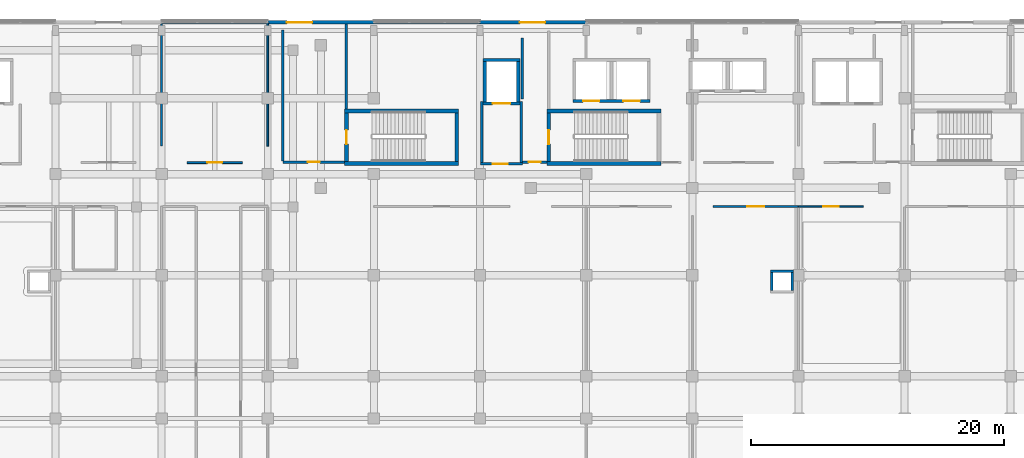
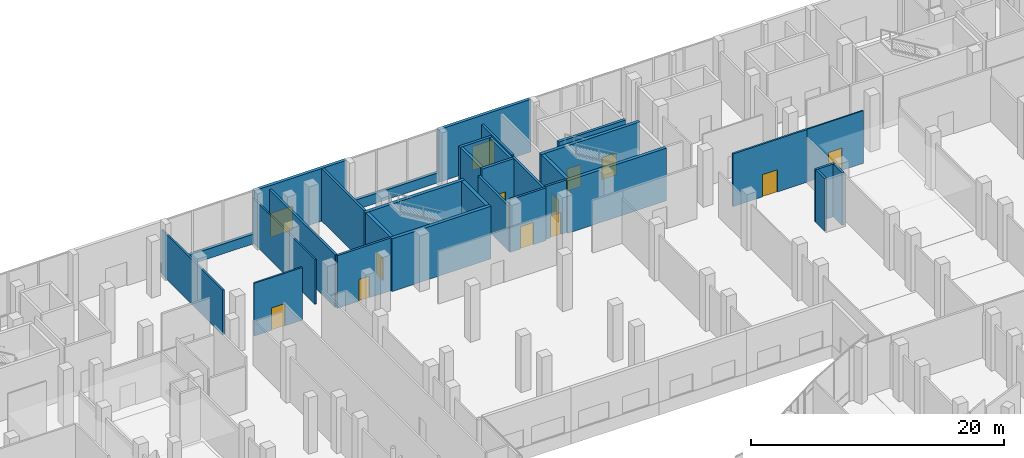
# One storey, part 141 of 158: 32 walls, 13 doors, 13 openings.
"""IFC4 building model written with IfcOpenShell, lengths in metres."""

from ifc_helpers import new_model, si_unit, direction, frame, frame_2d, origin, place, context, subcontext, project, spatial, rectangle, extrude, material, layer, layer_set, type_object, element, fill, save


model = new_model("IFC4")

# Units and contexts
model_context = context("Model", 3, precision=1e-05, world=origin(), true_north=direction((0.0, 1.0)))
body_context = subcontext(model_context, "Body", "Model", "MODEL_VIEW")
ifc_project = project(units=[si_unit("LENGTHUNIT", "METRE"), si_unit("AREAUNIT", "SQUARE_METRE"), si_unit("VOLUMEUNIT", "CUBIC_METRE"), si_unit("PLANEANGLEUNIT", "RADIAN"), si_unit("MASSUNIT", "GRAM", prefix="KILO")], contexts=[model_context])

# Site, building, storey
site_placement = place(None, origin())
site = spatial("IfcSite", under=ifc_project, at=site_placement, CompositionType="ELEMENT")
building_placement = place(site_placement, origin())
building = spatial("IfcBuilding", under=site, at=building_placement, Name="Selatvlak General Hospital", CompositionType="ELEMENT")
storey_placement = place(building_placement, origin())
storey = spatial("IfcBuildingStorey", under=building, at=storey_placement, Name="L00", CompositionType="ELEMENT", Elevation=0.0)

# Wall
ifc_material_1 = material(Name="Precast concrete C40/50 - white Bauhaus spandrel", Category="concrete")
ifc_layer_1 = layer(ifc_material_1, 0.280029296875, Name="Precast concrete C40/50 - white Bauhaus spandrel", Category="concrete")
ifc_layer_set_1 = layer_set([ifc_layer_1], Name="Precast concrete C40/50 - white Bauhaus spandrel")
wall_type_1 = type_object("IfcWallType", Name="WALL-EW-02", PredefinedType="SOLIDWALL", material=ifc_layer_set_1)
wall_1_placement = place(storey_placement, frame((73.201904296875, 119.9990234375, 0.0), z_axis=(0.0, 0.0, 1.0), x_axis=(1.0, 0.0, 0.0)))
element("IfcWall", 1, at=wall_1_placement, inside=storey, type_object=wall_type_1, Name="L00 Bauhaus spandrel sill wall 0156", PredefinedType="SOLIDWALL", context=body_context, shape_type="SweptSolid", body=[
    extrude(rectangle(XDim=8.39599609375, YDim=0.280029296875, at=frame_2d((4.197998046875, 0.0))), origin(), (0.0, 0.0, 1.0), 0.93994140625),
])

# Wall, opening, door
wall_2_placement = place(storey_placement, frame((81.60009765625, 119.9990234375, 0.0), z_axis=(0.0, 0.0, 1.0), x_axis=(0.99999999324, 0.000116272309, 0.0)))
wall_2 = element("IfcWall", 2, at=wall_2_placement, inside=storey, type_object=wall_type_1, Name="L00 exterior wall 0157", PredefinedType="SOLIDWALL", context=body_context, shape_type="SweptSolid", body=[
    extrude(rectangle(XDim=8.39892578125, YDim=0.280029296875, at=frame_2d((4.199462890625, 0.0))), origin(), (0.0, 0.0, 1.0), 5.080078125),
])
opening_1_placement = place(wall_2_placement, frame((1.52001953125, 0.0, 0.0)))
opening_1 = element("IfcOpeningElement", 3, at=opening_1_placement, cuts=wall_2, Name="Opening DE-03", PredefinedType="OPENING", context=body_context, shape_type="SweptSolid", body=[
    extrude(rectangle(XDim=2.0, YDim=2.300048828125, at=frame_2d((1.0, 1.14990234375))), frame((0.0, 0.14990234375, 0.0), z_axis=(0.0, -1.0, 0.0), x_axis=(1.0, 0.0, 0.0)), (0.0, 0.0, 1.0), 0.300048828125),
])
ifc_material_2 = material(Name="Steel acoustic fire exit double door", Category="steel")
door_type_1 = type_object("IfcDoorType", Name="DOOR-DE-03", OperationType="DOUBLE_DOOR_SINGLE_SWING", PredefinedType="DOOR", material=ifc_material_2)
door_1_placement = place(opening_1_placement, origin())
door_1 = element("IfcDoor", 4, at=door_1_placement, inside=storey, type_object=door_type_1, Name="Stair ST-02 ground final exit double door", OperationType="DOUBLE_DOOR_SINGLE_SWING", OverallHeight=2.300048828125, OverallWidth=2.0, PredefinedType="DOOR", context=body_context, shape_type="SweptSolid", body=[
    extrude(rectangle(XDim=2.0, YDim=2.300048828125, at=frame_2d((1.0, 1.14990234375))), frame((0.0, 0.02490234375, 0.0), z_axis=(0.0, -1.0, 0.0), x_axis=(1.0, 0.0, 0.0)), (0.0, 0.0, 1.0), 0.050048828125),
])
fill(opening_1, door_1)

# Wall
wall_3_placement = place(storey_placement, frame((90.0009765625, 120.0, 0.0), z_axis=(0.0, 0.0, 1.0), x_axis=(1.0, 0.0, 0.0)))
element("IfcWall", 5, at=wall_3_placement, inside=storey, type_object=wall_type_1, Name="L00 Bauhaus spandrel sill wall 0158", PredefinedType="SOLIDWALL", context=body_context, shape_type="SweptSolid", body=[
    extrude(rectangle(XDim=8.39599609375, YDim=0.280029296875, at=frame_2d((4.197998046875, 0.0))), origin(), (0.0, 0.0, 1.0), 0.93994140625),
])

# Wall, opening, door
wall_4_placement = place(storey_placement, frame((98.39892578125, 120.0, 0.0), z_axis=(0.0, 0.0, 1.0), x_axis=(1.0, 0.0, 0.0)))
wall_4 = element("IfcWall", 6, at=wall_4_placement, inside=storey, type_object=wall_type_1, Name="L00 exterior wall 0159", PredefinedType="SOLIDWALL", context=body_context, shape_type="SweptSolid", body=[
    extrude(rectangle(XDim=8.400146484375, YDim=0.280029296875, at=frame_2d((4.2001953125, 0.0))), origin(), (0.0, 0.0, 1.0), 5.080078125),
])
opening_2_placement = place(wall_4_placement, frame((3.15087890625, 0.0, 0.0)))
opening_2 = element("IfcOpeningElement", 7, at=opening_2_placement, cuts=wall_4, Name="Opening DE-03", PredefinedType="OPENING", context=body_context, shape_type="SweptSolid", body=[
    extrude(rectangle(XDim=2.0, YDim=2.300048828125, at=frame_2d((1.0, 1.14990234375))), frame((0.0, 0.14990234375, 0.0), z_axis=(0.0, -1.0, 0.0), x_axis=(1.0, 0.0, 0.0)), (0.0, 0.0, 1.0), 0.300048828125),
])
door_2_placement = place(opening_2_placement, origin())
door_2 = element("IfcDoor", 8, at=door_2_placement, inside=storey, type_object=door_type_1, Name="Stair ST-03 ground final exit double door", OperationType="DOUBLE_DOOR_SINGLE_SWING", OverallHeight=2.300048828125, OverallWidth=2.0, PredefinedType="DOOR", context=body_context, shape_type="SweptSolid", body=[
    extrude(rectangle(XDim=2.0, YDim=2.300048828125, at=frame_2d((1.0, 1.14990234375))), frame((0.0, 0.02490234375, 0.0), z_axis=(0.0, -1.0, 0.0), x_axis=(1.0, 0.0, 0.0)), (0.0, 0.0, 1.0), 0.050048828125),
])
fill(opening_2, door_2)

ifc_material_3 = material(Name="Concrete C40/50", Category="concrete")
ifc_layer_2 = layer(ifc_material_3, 0.199951171875, Name="Concrete C40/50", Category="concrete")
ifc_layer_set_2 = layer_set([ifc_layer_2], Name="Concrete C40/50")
wall_type_2 = type_object("IfcWallType", Name="WALL-IW-02", PredefinedType="SOLIDWALL", material=ifc_layer_set_2)
wall_5_placement = place(storey_placement, frame((98.449951171875, 108.800048828125, 0.0), z_axis=(0.0, 0.0, 1.0), x_axis=(1.0, 0.0, 0.0)))
wall_5 = element("IfcWall", 9, at=wall_5_placement, inside=storey, type_object=wall_type_2, Name="Firefighting lobby C2 wall L00 S", PredefinedType="SOLIDWALL", context=body_context, shape_type="SweptSolid", body=[
    extrude(rectangle(XDim=3.300048828125, YDim=0.199951171875, at=frame_2d((1.64990234375, 0.0))), origin(), (0.0, 0.0, 1.0), 5.080078125),
])
opening_3_placement = place(wall_5_placement, frame((0.97509765625, 0.0, 0.0)))
opening_3 = element("IfcOpeningElement", 10, at=opening_3_placement, cuts=wall_5, Name="Opening D-06", PredefinedType="OPENING", context=body_context, shape_type="SweptSolid", body=[
    extrude(rectangle(XDim=1.14990234375, YDim=2.14990234375, at=frame_2d((0.574951171875, 1.074951171875))), frame((0.0, 0.10986328125, 0.0), z_axis=(0.0, -1.0, 0.0), x_axis=(1.0, 0.0, 0.0)), (0.0, 0.0, 1.0), 0.219970703125),
])
ifc_material_4 = material(Name="Firefighting lobby fire door")
door_type_2 = type_object("IfcDoorType", Name="DOOR-D-06", OperationType="NOTDEFINED", PredefinedType="DOOR", material=ifc_material_4)
door_3_placement = place(opening_3_placement, origin())
door_3 = element("IfcDoor", 11, at=door_3_placement, inside=storey, type_object=door_type_2, Name="Firefighting lobby C2 door on L00", OperationType="SINGLE_SWING_RIGHT", OverallHeight=2.14990234375, OverallWidth=1.14990234375, PredefinedType="DOOR", context=body_context, shape_type="SweptSolid", body=[
    extrude(rectangle(XDim=1.14990234375, YDim=2.14990234375, at=frame_2d((0.574951171875, 1.074951171875))), frame((0.0, 0.02490234375, 0.0), z_axis=(0.0, -1.0, 0.0), x_axis=(1.0, 0.0, 0.0)), (0.0, 0.0, 1.0), 0.050048828125),
])
fill(opening_3, door_3)

# Walls
wall_6_placement = place(storey_placement, frame((101.64990234375, 108.89990234375, 0.0), z_axis=(0.0, 0.0, 1.0), x_axis=(0.0, 1.0, 0.0)))
element("IfcWall", 12, at=wall_6_placement, inside=storey, type_object=wall_type_2, Name="Firefighting lobby C2 wall L00 E", PredefinedType="SOLIDWALL", context=body_context, shape_type="SweptSolid", body=[
    extrude(rectangle(XDim=4.85009765625, YDim=0.199951171875, at=frame_2d((2.425048828125, 0.0))), origin(), (0.0, 0.0, 1.0), 5.080078125),
])
wall_7_placement = place(storey_placement, frame((98.550048828125, 113.75, 0.0), z_axis=(0.0, 0.0, 1.0), x_axis=(0.0, -1.0, 0.0)))
element("IfcWall", 13, at=wall_7_placement, inside=storey, type_object=wall_type_2, Name="Firefighting lobby C2 wall L00 W", PredefinedType="SOLIDWALL", context=body_context, shape_type="SweptSolid", body=[
    extrude(rectangle(XDim=4.85009765625, YDim=0.199951171875, at=frame_2d((2.425048828125, 0.0))), origin(), (0.0, 0.0, 1.0), 4.330078125),
])
wall_8_placement = place(storey_placement, frame((123.10009765625, 98.800048828125, 0.0), z_axis=(0.0, 0.0, 1.0), x_axis=(0.0, 1.0, 0.0)))
element("IfcWall", 14, at=wall_8_placement, inside=storey, type_object=wall_type_2, Name="Service riser 2 shaft wall L00 E", PredefinedType="SOLIDWALL", context=body_context, shape_type="SweptSolid", body=[
    extrude(rectangle(XDim=1.39990234375, YDim=0.199951171875, at=frame_2d((0.699951171875, 0.0))), origin(), (0.0, 0.0, 1.0), 5.080078125),
])
wall_9_placement = place(storey_placement, frame((123.199951171875, 100.300048828125, 0.0), z_axis=(0.0, 0.0, 1.0), x_axis=(-1.0, 0.0, 0.0)))
element("IfcWall", 15, at=wall_9_placement, inside=storey, type_object=wall_type_2, Name="Service riser 2 shaft wall L00 N", PredefinedType="SOLIDWALL", context=body_context, shape_type="SweptSolid", body=[
    extrude(rectangle(XDim=1.800048828125, YDim=0.199951171875, at=frame_2d((0.89990234375, 0.0))), origin(), (0.0, 0.0, 1.0), 5.080078125),
])
wall_10_placement = place(storey_placement, frame((121.5, 100.199951171875, 0.0), z_axis=(0.0, 0.0, 1.0), x_axis=(0.0, -1.0, 0.0)))
element("IfcWall", 16, at=wall_10_placement, inside=storey, type_object=wall_type_2, Name="Service riser 2 shaft wall L00 W", PredefinedType="SOLIDWALL", context=body_context, shape_type="SweptSolid", body=[
    extrude(rectangle(XDim=1.39990234375, YDim=0.199951171875, at=frame_2d((0.699951171875, 0.0))), origin(), (0.0, 0.0, 1.0), 5.080078125),
])
wall_11_placement = place(storey_placement, frame((87.830078125, 119.860107421875, 0.0), z_axis=(0.0, 0.0, 1.0), x_axis=(0.0, -1.0, 0.0)))
element("IfcWall", 17, at=wall_11_placement, inside=storey, type_object=wall_type_2, Name="L00 clinical partition PT-L00-0366", PredefinedType="SOLIDWALL", context=body_context, shape_type="SweptSolid", body=[
    extrude(rectangle(XDim=6.713134765625, YDim=0.199951171875, at=frame_2d((3.3564453125, 0.0))), origin(), (0.0, 0.0, 1.0), 5.080078125),
])

# Wall, opening, door
wall_12_placement = place(storey_placement, frame((87.68994140625, 108.949951171875, 0.0), z_axis=(0.0, 0.0, 1.0), x_axis=(-1.0, 0.0, 0.0)))
wall_12 = element("IfcWall", 18, at=wall_12_placement, inside=storey, type_object=wall_type_2, Name="L00 clinical partition PT-L00-0367", PredefinedType="SOLIDWALL", context=body_context, shape_type="SweptSolid", body=[
    extrude(rectangle(XDim=4.889892578125, YDim=0.199951171875, at=frame_2d((2.44482421875, 0.0))), origin(), (0.0, 0.0, 1.0), 5.080078125),
])
opening_4_placement = place(wall_12_placement, frame((1.969970703125, 0.0, 0.0)))
opening_4 = element("IfcOpeningElement", 19, at=opening_4_placement, cuts=wall_12, Name="Opening D-02", PredefinedType="OPENING", context=body_context, shape_type="SweptSolid", body=[
    extrude(rectangle(XDim=0.949951171875, YDim=2.10009765625, at=frame_2d((0.47509765625, 1.050048828125))), frame((0.0, 0.10986328125, 0.0), z_axis=(0.0, -1.0, 0.0), x_axis=(1.0, 0.0, 0.0)), (0.0, 0.0, 1.0), 0.219970703125),
])
ifc_material_5 = material(Name="Moisture-resistant en-suite door")
door_type_3 = type_object("IfcDoorType", Name="DOOR-D-02", OperationType="NOTDEFINED", PredefinedType="DOOR", material=ifc_material_5)
door_4_placement = place(opening_4_placement, origin())
door_4 = element("IfcDoor", 20, at=door_4_placement, inside=storey, type_object=door_type_3, Name="L00 Protected Exit Passageway ST-02 door", OperationType="SINGLE_SWING_RIGHT", OverallHeight=2.10009765625, OverallWidth=0.949951171875, PredefinedType="DOOR", context=body_context, shape_type="SweptSolid", body=[
    extrude(rectangle(XDim=0.949951171875, YDim=2.10009765625, at=frame_2d((0.47509765625, 1.050048828125))), frame((0.0, 0.02490234375, 0.0), z_axis=(0.0, -1.0, 0.0), x_axis=(1.0, 0.0, 0.0)), (0.0, 0.0, 1.0), 0.050048828125),
])
fill(opening_4, door_4)

# Wall
wall_13_placement = place(storey_placement, frame((82.800048828125, 109.0458984375, 0.0), z_axis=(0.0, 0.0, 1.0), x_axis=(0.0, 1.0, 0.0)))
element("IfcWall", 21, at=wall_13_placement, inside=storey, type_object=wall_type_2, Name="L00 clinical partition PT-L00-0368", PredefinedType="SOLIDWALL", context=body_context, shape_type="SweptSolid", body=[
    extrude(rectangle(XDim=10.357177734375, YDim=0.199951171875, at=frame_2d((5.1787109375, 0.0))), origin(), (0.0, 0.0, 1.0), 5.080078125),
])

# Wall, opening, door
wall_14_placement = place(storey_placement, frame((103.68994140625, 108.949951171875, 0.0), z_axis=(0.0, 0.0, 1.0), x_axis=(-1.0, 0.0, 0.0)))
wall_14 = element("IfcWall", 22, at=wall_14_placement, inside=storey, type_object=wall_type_2, Name="L00 clinical partition PT-L00-0370", PredefinedType="SOLIDWALL", context=body_context, shape_type="SweptSolid", body=[
    extrude(rectangle(XDim=1.93994140625, YDim=0.199951171875, at=frame_2d((0.969970703125, 0.0))), origin(), (0.0, 0.0, 1.0), 5.080078125),
])
opening_5_placement = place(wall_14_placement, frame((0.4951171875, 0.0, 0.0)))
opening_5 = element("IfcOpeningElement", 23, at=opening_5_placement, cuts=wall_14, Name="Opening D-02", PredefinedType="OPENING", context=body_context, shape_type="SweptSolid", body=[
    extrude(rectangle(XDim=0.949951171875, YDim=2.10009765625, at=frame_2d((0.47509765625, 1.050048828125))), frame((0.0, 0.10986328125, 0.0), z_axis=(0.0, -1.0, 0.0), x_axis=(1.0, 0.0, 0.0)), (0.0, 0.0, 1.0), 0.219970703125),
])
door_5_placement = place(opening_5_placement, origin())
door_5 = element("IfcDoor", 24, at=door_5_placement, inside=storey, type_object=door_type_3, Name="L00 Protected Exit Passageway ST-03 door", OperationType="SINGLE_SWING_LEFT", OverallHeight=2.10009765625, OverallWidth=0.949951171875, PredefinedType="DOOR", context=body_context, shape_type="SweptSolid", body=[
    extrude(rectangle(XDim=0.949951171875, YDim=2.10009765625, at=frame_2d((0.47509765625, 1.050048828125))), frame((0.0, 0.02490234375, 0.0), z_axis=(0.0, -1.0, 0.0), x_axis=(1.0, 0.0, 0.0)), (0.0, 0.0, 1.0), 0.050048828125),
])
fill(opening_5, door_5)

# Wall
wall_15_placement = place(storey_placement, frame((101.760009765625, 113.94189453125, 0.0), z_axis=(0.0, 0.0, 1.0), x_axis=(0.0, 1.0, 0.0)))
element("IfcWall", 25, at=wall_15_placement, inside=storey, type_object=wall_type_2, Name="L00 clinical partition PT-L00-0371", PredefinedType="SOLIDWALL", context=body_context, shape_type="SweptSolid", body=[
    extrude(rectangle(XDim=4.843017578125, YDim=0.199951171875, at=frame_2d((2.42138671875, 0.0))), origin(), (0.0, 0.0, 1.0), 5.080078125),
])

# Wall, opening, door
ifc_material_6 = material(Name="Acoustic gypsum stud partition")
ifc_layer_3 = layer(ifc_material_6, 0.1650390625, Name="Acoustic gypsum stud partition")
ifc_layer_set_3 = layer_set([ifc_layer_3], Name="Acoustic gypsum stud partition")
wall_type_3 = type_object("IfcWallType", Name="WALL-PT-02", PredefinedType="PARTITIONING", material=ifc_layer_set_3)
wall_16_placement = place(storey_placement, frame((116.85595703125, 105.43994140625, 0.0), z_axis=(0.0, 0.0, 1.0), x_axis=(1.0, 0.0, 0.0)))
wall_16 = element("IfcWall", 26, at=wall_16_placement, inside=storey, type_object=wall_type_3, Name="L00 clinical partition PT-L00-0651", PredefinedType="PARTITIONING", context=body_context, shape_type="SweptSolid", body=[
    extrude(rectangle(XDim=6.744140625, YDim=0.1650390625, at=frame_2d((3.3720703125, 0.0))), origin(), (0.0, 0.0, 1.0), 5.080078125),
])
opening_6_placement = place(wall_16_placement, frame((2.697021484375, 0.0, 0.0)))
opening_6 = element("IfcOpeningElement", 27, at=opening_6_placement, cuts=wall_16, Name="Opening D-10", PredefinedType="OPENING", context=body_context, shape_type="SweptSolid", body=[
    extrude(rectangle(XDim=1.35009765625, YDim=2.14990234375, at=frame_2d((0.675048828125, 1.074951171875))), frame((0.0, 0.092529296875, 0.0), z_axis=(0.0, -1.0, 0.0), x_axis=(1.0, 0.0, 0.0)), (0.0, 0.0, 1.0), 0.18505859375),
])
ifc_material_7 = material(Name="Single patient bed door")
door_type_4 = type_object("IfcDoorType", Name="DOOR-D-10", OperationType="NOTDEFINED", PredefinedType="DOOR", material=ifc_material_7)
door_6_placement = place(opening_6_placement, origin())
door_6 = element("IfcDoor", 28, at=door_6_placement, inside=storey, type_object=door_type_4, Name="L00 General Radiography X-Ray Suite 54 door", OperationType="SINGLE_SWING_LEFT", OverallHeight=2.14990234375, OverallWidth=1.35009765625, PredefinedType="DOOR", context=body_context, shape_type="SweptSolid", body=[
    extrude(rectangle(XDim=1.35009765625, YDim=2.14990234375, at=frame_2d((0.675048828125, 1.074951171875))), frame((0.0, 0.02490234375, 0.0), z_axis=(0.0, -1.0, 0.0), x_axis=(1.0, 0.0, 0.0)), (0.0, 0.0, 1.0), 0.050048828125),
])
fill(opening_6, door_6)

# Wall
wall_17_placement = place(storey_placement, frame((73.199951171875, 119.860107421875, 0.0), z_axis=(0.0, 0.0, 1.0), x_axis=(0.0, -1.0, 0.0)))
element("IfcWall", 29, at=wall_17_placement, inside=storey, type_object=wall_type_3, Name="L00 clinical partition PT-L00-0676", PredefinedType="PARTITIONING", context=body_context, shape_type="SweptSolid", body=[
    extrude(rectangle(XDim=9.650146484375, YDim=0.1650390625, at=frame_2d((4.8251953125, 0.0))), origin(), (0.0, 0.0, 1.0), 4.330078125),
])

# Wall, opening, door
ifc_layer_4 = layer(ifc_material_6, 0.14990234375, Name="Acoustic gypsum stud partition")
ifc_layer_set_4 = layer_set([ifc_layer_4], Name="Acoustic gypsum stud partition")
wall_type_4 = type_object("IfcWallType", Name="WALL-PT-03", PredefinedType="PARTITIONING", material=ifc_layer_set_4)
wall_18_placement = place(storey_placement, frame((79.589111328125, 108.909912109375, 0.0), z_axis=(0.0, 0.0, 1.0), x_axis=(-1.0, 0.0, 0.0)))
wall_18 = element("IfcWall", 30, at=wall_18_placement, inside=storey, type_object=wall_type_4, Name="L00 clinical partition PT-L00-0677", PredefinedType="PARTITIONING", context=body_context, shape_type="SweptSolid", body=[
    extrude(rectangle(XDim=4.378173828125, YDim=0.14990234375, at=frame_2d((2.18896484375, 0.0))), origin(), (0.0, 0.0, 1.0), 5.080078125),
])
opening_7_placement = place(wall_18_placement, frame((1.589111328125, 0.0, 0.0)))
opening_7 = element("IfcOpeningElement", 31, at=opening_7_placement, cuts=wall_18, Name="Opening D-23", PredefinedType="OPENING", context=body_context, shape_type="SweptSolid", body=[
    extrude(rectangle(XDim=1.199951171875, YDim=2.14990234375, at=frame_2d((0.60009765625, 1.074951171875))), frame((0.0, 0.0849609375, 0.0), z_axis=(0.0, -1.0, 0.0), x_axis=(1.0, 0.0, 0.0)), (0.0, 0.0, 1.0), 0.169921875),
])
ifc_material_8 = material(Name="Endoscopy clinical door")
door_type_5 = type_object("IfcDoorType", Name="DOOR-D-23", OperationType="NOTDEFINED", PredefinedType="DOOR", material=ifc_material_8)
door_7_placement = place(opening_7_placement, origin())
door_7 = element("IfcDoor", 32, at=door_7_placement, inside=storey, type_object=door_type_5, Name="L00 Admissions Registration Suite 67 door", OperationType="SINGLE_SWING_RIGHT", OverallHeight=2.14990234375, OverallWidth=1.199951171875, PredefinedType="DOOR", context=body_context, shape_type="SweptSolid", body=[
    extrude(rectangle(XDim=1.199951171875, YDim=2.14990234375, at=frame_2d((0.60009765625, 1.074951171875))), frame((0.0, 0.02490234375, 0.0), z_axis=(0.0, -1.0, 0.0), x_axis=(1.0, 0.0, 0.0)), (0.0, 0.0, 1.0), 0.050048828125),
])
fill(opening_7, door_7)

# Wall
ifc_material_9 = material(Name="Moisture-resistant clinical partition")
ifc_layer_5 = layer(ifc_material_9, 0.135009765625, Name="Moisture-resistant clinical partition")
ifc_layer_set_5 = layer_set([ifc_layer_5], Name="Moisture-resistant clinical partition")
wall_type_5 = type_object("IfcWallType", Name="WALL-PT-04", PredefinedType="PARTITIONING", material=ifc_layer_set_5)
wall_19_placement = place(storey_placement, frame((81.60009765625, 119.989990234375, 0.0), z_axis=(0.0, 0.0, 1.0), x_axis=(0.0, -1.0, 0.0)))
element("IfcWall", 33, at=wall_19_placement, inside=storey, type_object=wall_type_5, Name="L00 clinical partition PT-L00-0678", PredefinedType="PARTITIONING", context=body_context, shape_type="SweptSolid", body=[
    extrude(rectangle(XDim=9.780029296875, YDim=0.135009765625, at=frame_2d((4.89013671875, 0.0))), origin(), (0.0, 0.0, 1.0), 4.330078125),
])

# Wall, opening, door
ifc_layer_6 = layer(ifc_material_9, 0.1201171875, Name="Moisture-resistant clinical partition")
ifc_layer_set_6 = layer_set([ifc_layer_6], Name="Moisture-resistant clinical partition")
wall_type_6 = type_object("IfcWallType", Name="WALL-PT-05", PredefinedType="PARTITIONING", material=ifc_layer_set_6)
wall_20_placement = place(storey_placement, frame((123.60009765625, 105.43994140625, 0.0), z_axis=(0.0, 0.0, 1.0), x_axis=(1.0, 0.0, 0.0)))
wall_20 = element("IfcWall", 34, at=wall_20_placement, inside=storey, type_object=wall_type_6, Name="L00 clinical partition PT-L00-0654", PredefinedType="PARTITIONING", context=body_context, shape_type="SweptSolid", body=[
    extrude(rectangle(XDim=5.143798828125, YDim=0.1201171875, at=frame_2d((2.57177734375, 0.0))), origin(), (0.0, 0.0, 1.0), 5.080078125),
])
opening_8_placement = place(wall_20_placement, frame((1.971923828125, 0.0, 0.0)))
opening_8 = element("IfcOpeningElement", 35, at=opening_8_placement, cuts=wall_20, Name="Opening D-23", PredefinedType="OPENING", context=body_context, shape_type="SweptSolid", body=[
    extrude(rectangle(XDim=1.199951171875, YDim=2.14990234375, at=frame_2d((0.60009765625, 1.074951171875))), frame((0.0, 0.070068359375, 0.0), z_axis=(0.0, -1.0, 0.0), x_axis=(1.0, 0.0, 0.0)), (0.0, 0.0, 1.0), 0.14013671875),
])
door_8_placement = place(opening_8_placement, origin())
door_8 = element("IfcDoor", 36, at=door_8_placement, inside=storey, type_object=door_type_5, Name="L00 Emergency Triage Room 55 door", OperationType="SINGLE_SWING_RIGHT", OverallHeight=2.14990234375, OverallWidth=1.199951171875, PredefinedType="DOOR", context=body_context, shape_type="SweptSolid", body=[
    extrude(rectangle(XDim=1.199951171875, YDim=2.14990234375, at=frame_2d((0.60009765625, 1.074951171875))), frame((0.0, 0.02490234375, 0.0), z_axis=(0.0, -1.0, 0.0), x_axis=(1.0, 0.0, 0.0)), (0.0, 0.0, 1.0), 0.050048828125),
])
fill(opening_8, door_8)

# Walls
ifc_material_10 = material(Name="Concrete C45/55", Category="concrete")
ifc_layer_7 = layer(ifc_material_10, 0.300048828125, Name="Concrete C45/55", Category="concrete")
ifc_layer_set_7 = layer_set([ifc_layer_7], Name="Concrete C45/55")
wall_type_7 = type_object("IfcWallType", Name="WALL-SW-02", PredefinedType="SHEAR", material=ifc_layer_set_7)
wall_21_placement = place(storey_placement, frame((87.68994140625, 108.840087890625, 0.0), z_axis=(0.0, 0.0, 1.0), x_axis=(1.0, 0.0, 0.0)))
element("IfcWall", 37, at=wall_21_placement, inside=storey, type_object=wall_type_7, Name="ST-02 core shear wall L00 S", PredefinedType="SHEAR", context=body_context, shape_type="SweptSolid", body=[
    extrude(rectangle(XDim=9.02001953125, YDim=0.300048828125, at=frame_2d((4.510009765625, 0.0))), origin(), (0.0, 0.0, 1.0), 5.080078125),
])
wall_22_placement = place(storey_placement, frame((96.56005859375, 108.989990234375, 0.0), z_axis=(0.0, 0.0, 1.0), x_axis=(0.0, 1.0, 0.0)))
element("IfcWall", 38, at=wall_22_placement, inside=storey, type_object=wall_type_7, Name="ST-02 core shear wall L00 E", PredefinedType="SHEAR", context=body_context, shape_type="SweptSolid", body=[
    extrude(rectangle(XDim=3.860107421875, YDim=0.300048828125, at=frame_2d((1.93017578125, 0.0))), origin(), (0.0, 0.0, 1.0), 5.080078125),
])
wall_23_placement = place(storey_placement, frame((96.7099609375, 113.0, 0.0), z_axis=(0.0, 0.0, 1.0), x_axis=(-1.0, 0.0, 0.0)))
element("IfcWall", 39, at=wall_23_placement, inside=storey, type_object=wall_type_7, Name="ST-02 core shear wall L00 N", PredefinedType="SHEAR", context=body_context, shape_type="SweptSolid", body=[
    extrude(rectangle(XDim=9.02001953125, YDim=0.300048828125, at=frame_2d((4.510009765625, 0.0))), origin(), (0.0, 0.0, 1.0), 5.080078125),
])

# Wall, opening, door
wall_24_placement = place(storey_placement, frame((87.840087890625, 112.85009765625, 0.0), z_axis=(0.0, 0.0, 1.0), x_axis=(0.0, -1.0, 0.0)))
wall_24 = element("IfcWall", 40, at=wall_24_placement, inside=storey, type_object=wall_type_7, Name="ST-02 core shear wall L00 W", PredefinedType="SHEAR", context=body_context, shape_type="SweptSolid", body=[
    extrude(rectangle(XDim=3.860107421875, YDim=0.300048828125, at=frame_2d((1.93017578125, 0.0))), origin(), (0.0, 0.0, 1.0), 5.080078125),
])
opening_9_placement = place(wall_24_placement, frame((1.3798828125, 0.0, 0.0)))
opening_9 = element("IfcOpeningElement", 41, at=opening_9_placement, cuts=wall_24, Name="Opening D-05", PredefinedType="OPENING", context=body_context, shape_type="SweptSolid", body=[
    extrude(rectangle(XDim=1.10009765625, YDim=2.14990234375, at=frame_2d((0.550048828125, 1.074951171875))), frame((0.0, 0.159912109375, 0.0), z_axis=(0.0, -1.0, 0.0), x_axis=(1.0, 0.0, 0.0)), (0.0, 0.0, 1.0), 0.320068359375),
])
ifc_material_11 = material(Name="Protected stair fire door")
door_type_6 = type_object("IfcDoorType", Name="DOOR-D-05", OperationType="NOTDEFINED", PredefinedType="DOOR", material=ifc_material_11)
door_9_placement = place(opening_9_placement, origin())
door_9 = element("IfcDoor", 42, at=door_9_placement, inside=storey, type_object=door_type_6, Name="ST-02 protected stair door on L00", OperationType="SINGLE_SWING_LEFT", OverallHeight=2.14990234375, OverallWidth=1.10009765625, PredefinedType="DOOR", context=body_context, shape_type="SweptSolid", body=[
    extrude(rectangle(XDim=1.10009765625, YDim=2.14990234375, at=frame_2d((0.550048828125, 1.074951171875))), frame((0.0, 0.02490234375, 0.0), z_axis=(0.0, -1.0, 0.0), x_axis=(1.0, 0.0, 0.0)), (0.0, 0.0, 1.0), 0.050048828125),
])
fill(opening_9, door_9)

# Walls
for number, where, z_axis, x_axis, name in (
    (43, (103.68994140625, 108.840087890625, 0.0), (0.0, 0.0, 1.0), (1.0, 0.0, 0.0), "ST-03 core shear wall L00 S"),
    (44, (112.7099609375, 113.0, 0.0), (0.0, 0.0, 1.0), (-1.0, 0.0, 0.0), "ST-03 core shear wall L00 N"),
):
    element("IfcWall", number, at=place(storey_placement, frame(where, z_axis=z_axis, x_axis=x_axis)), inside=storey, type_object=wall_type_7, Name=name, PredefinedType="SHEAR", context=body_context, shape_type="SweptSolid", body=[
        extrude(rectangle(XDim=9.02001953125, YDim=0.300048828125, at=frame_2d((4.510009765625, 0.0))), origin(), (0.0, 0.0, 1.0), 5.080078125),
    ])

# Wall, opening, door
wall_25_placement = place(storey_placement, frame((103.840087890625, 112.85009765625, 0.0), z_axis=(0.0, 0.0, 1.0), x_axis=(0.0, -1.0, 0.0)))
wall_25 = element("IfcWall", 45, at=wall_25_placement, inside=storey, type_object=wall_type_7, Name="ST-03 core shear wall L00 W", PredefinedType="SHEAR", context=body_context, shape_type="SweptSolid", body=[
    extrude(rectangle(XDim=3.860107421875, YDim=0.300048828125, at=frame_2d((1.93017578125, 0.0))), origin(), (0.0, 0.0, 1.0), 5.080078125),
])
opening_10_placement = place(wall_25_placement, frame((1.3798828125, 0.0, 0.0)))
opening_10 = element("IfcOpeningElement", 46, at=opening_10_placement, cuts=wall_25, Name="Opening D-05", PredefinedType="OPENING", context=body_context, shape_type="SweptSolid", body=[
    extrude(rectangle(XDim=1.10009765625, YDim=2.14990234375, at=frame_2d((0.550048828125, 1.074951171875))), frame((0.0, 0.159912109375, 0.0), z_axis=(0.0, -1.0, 0.0), x_axis=(1.0, 0.0, 0.0)), (0.0, 0.0, 1.0), 0.320068359375),
])
door_10_placement = place(opening_10_placement, origin())
door_10 = element("IfcDoor", 47, at=door_10_placement, inside=storey, type_object=door_type_6, Name="ST-03 protected stair door on L00", OperationType="SINGLE_SWING_RIGHT", OverallHeight=2.14990234375, OverallWidth=1.10009765625, PredefinedType="DOOR", context=body_context, shape_type="SweptSolid", body=[
    extrude(rectangle(XDim=1.10009765625, YDim=2.14990234375, at=frame_2d((0.550048828125, 1.074951171875))), frame((0.0, 0.02490234375, 0.0), z_axis=(0.0, -1.0, 0.0), x_axis=(1.0, 0.0, 0.0)), (0.0, 0.0, 1.0), 0.050048828125),
])
fill(opening_10, door_10)

ifc_layer_8 = layer(ifc_material_3, 0.25, Name="Concrete C40/50", Category="concrete")
ifc_layer_set_8 = layer_set([ifc_layer_8], Name="Concrete C40/50")
wall_type_8 = type_object("IfcWallType", Name="WALL-SW-03", PredefinedType="SHEAR", material=ifc_layer_set_8)
wall_26_placement = place(storey_placement, frame((98.64990234375, 113.574951171875, 0.0), z_axis=(0.0, 0.0, 1.0), x_axis=(1.0, 0.0, 0.0)))
wall_26 = element("IfcWall", 48, at=wall_26_placement, inside=storey, type_object=wall_type_8, Name="Lift LF-02 shaft wall L00 S", PredefinedType="SHEAR", context=body_context, shape_type="SweptSolid", body=[
    extrude(rectangle(XDim=2.900146484375, YDim=0.25, at=frame_2d((1.4501953125, 0.0))), origin(), (0.0, 0.0, 1.0), 5.080078125),
])
opening_11_placement = place(wall_26_placement, frame((0.75, 0.0, 0.0)))
opening_11 = element("IfcOpeningElement", 49, at=opening_11_placement, cuts=wall_26, Name="Opening LD-F1", PredefinedType="OPENING", context=body_context, shape_type="SweptSolid", body=[
    extrude(rectangle(XDim=1.39990234375, YDim=2.14990234375, at=frame_2d((0.699951171875, 1.074951171875))), frame((0.0, 0.135009765625, 0.0), z_axis=(0.0, -1.0, 0.0), x_axis=(1.0, 0.0, 0.0)), (0.0, 0.0, 1.0), 0.27001953125),
])
ifc_material_12 = material(Name="Stainless steel fire lift landing door", Category="steel")
door_type_7 = type_object("IfcDoorType", Name="DOOR-LD-F1", OperationType="DOUBLE_DOOR_SLIDING", PredefinedType="DOOR", material=ifc_material_12)
door_11_placement = place(opening_11_placement, origin())
door_11 = element("IfcDoor", 50, at=door_11_placement, inside=storey, type_object=door_type_7, Name="Lift LF-02 sliding landing door on L00", OperationType="DOUBLE_DOOR_SLIDING", OverallHeight=2.14990234375, OverallWidth=1.39990234375, PredefinedType="DOOR", context=body_context, shape_type="SweptSolid", body=[
    extrude(rectangle(XDim=1.39990234375, YDim=2.14990234375, at=frame_2d((0.699951171875, 1.074951171875))), frame((0.0, 0.02490234375, 0.0), z_axis=(0.0, -1.0, 0.0), x_axis=(1.0, 0.0, 0.0)), (0.0, 0.0, 1.0), 0.050048828125),
])
fill(opening_11, door_11)

# Walls
wall_27_placement = place(storey_placement, frame((101.425048828125, 113.699951171875, 0.0), z_axis=(0.0, 0.0, 1.0), x_axis=(0.0, 1.0, 0.0)))
element("IfcWall", 51, at=wall_27_placement, inside=storey, type_object=wall_type_8, Name="Lift LF-02 shaft wall L00 E", PredefinedType="SHEAR", context=body_context, shape_type="SweptSolid", body=[
    extrude(rectangle(XDim=3.199951171875, YDim=0.25, at=frame_2d((1.60009765625, 0.0))), origin(), (0.0, 0.0, 1.0), 5.080078125),
])
wall_28_placement = place(storey_placement, frame((101.550048828125, 117.02490234375, 0.0), z_axis=(0.0, 0.0, 1.0), x_axis=(-1.0, 0.0, 0.0)))
element("IfcWall", 52, at=wall_28_placement, inside=storey, type_object=wall_type_8, Name="Lift LF-02 shaft wall L00 N", PredefinedType="SHEAR", context=body_context, shape_type="SweptSolid", body=[
    extrude(rectangle(XDim=2.900146484375, YDim=0.25, at=frame_2d((1.4501953125, 0.0))), origin(), (0.0, 0.0, 1.0), 5.080078125),
])
wall_29_placement = place(storey_placement, frame((98.77490234375, 116.89990234375, 0.0), z_axis=(0.0, 0.0, 1.0), x_axis=(0.0, -1.0, 0.0)))
element("IfcWall", 53, at=wall_29_placement, inside=storey, type_object=wall_type_8, Name="Lift LF-02 shaft wall L00 W", PredefinedType="SHEAR", context=body_context, shape_type="SweptSolid", body=[
    extrude(rectangle(XDim=3.199951171875, YDim=0.25, at=frame_2d((1.60009765625, 0.0))), origin(), (0.0, 0.0, 1.0), 5.080078125),
])

# Wall, openings, doors
wall_30_placement = place(storey_placement, frame((105.75, 113.77490234375, 0.0), z_axis=(0.0, 0.0, 1.0), x_axis=(1.0, 0.0, 0.0)))
wall_30 = element("IfcWall", 54, at=wall_30_placement, inside=storey, type_object=wall_type_8, Name="Lift LS-01-LS-02 shaft wall L00 S", PredefinedType="SHEAR", context=body_context, shape_type="SweptSolid", body=[
    extrude(rectangle(XDim=6.10009765625, YDim=0.25, at=frame_2d((3.050048828125, 0.0))), origin(), (0.0, 0.0, 1.0), 5.080078125),
])
opening_12_placement = place(wall_30_placement, frame((0.800048828125, 0.0, 0.0)))
opening_12 = element("IfcOpeningElement", 55, at=opening_12_placement, cuts=wall_30, Name="Opening LD-S1", PredefinedType="OPENING", context=body_context, shape_type="SweptSolid", body=[
    extrude(rectangle(XDim=1.300048828125, YDim=2.14990234375, at=frame_2d((0.64990234375, 1.074951171875))), frame((0.0, 0.135009765625, 0.0), z_axis=(0.0, -1.0, 0.0), x_axis=(1.0, 0.0, 0.0)), (0.0, 0.0, 1.0), 0.27001953125),
])
opening_13_placement = place(wall_30_placement, frame((4.0, 0.0, 0.0)))
opening_13 = element("IfcOpeningElement", 56, at=opening_13_placement, cuts=wall_30, Name="Opening LD-S1", PredefinedType="OPENING", context=body_context, shape_type="SweptSolid", body=[
    extrude(rectangle(XDim=1.300048828125, YDim=2.14990234375, at=frame_2d((0.64990234375, 1.074951171875))), frame((0.0, 0.135009765625, 0.0), z_axis=(0.0, -1.0, 0.0), x_axis=(1.0, 0.0, 0.0)), (0.0, 0.0, 1.0), 0.27001953125),
])
ifc_material_13 = material(Name="Stainless steel goods lift landing door", Category="steel")
door_type_8 = type_object("IfcDoorType", Name="DOOR-LD-S1", OperationType="DOUBLE_DOOR_SLIDING", PredefinedType="DOOR", material=ifc_material_13)
door_12_placement = place(opening_12_placement, origin())
door_12 = element("IfcDoor", 57, at=door_12_placement, inside=storey, type_object=door_type_8, Name="Lift LS-01 sliding landing door on L00", OperationType="DOUBLE_DOOR_SLIDING", OverallHeight=2.14990234375, OverallWidth=1.300048828125, PredefinedType="DOOR", context=body_context, shape_type="SweptSolid", body=[
    extrude(rectangle(XDim=1.300048828125, YDim=2.14990234375, at=frame_2d((0.64990234375, 1.074951171875))), frame((0.0, 0.02490234375, 0.0), z_axis=(0.0, -1.0, 0.0), x_axis=(1.0, 0.0, 0.0)), (0.0, 0.0, 1.0), 0.050048828125),
])
fill(opening_12, door_12)
door_13_placement = place(opening_13_placement, origin())
door_13 = element("IfcDoor", 58, at=door_13_placement, inside=storey, type_object=door_type_8, Name="Lift LS-02 sliding landing door on L00", OperationType="DOUBLE_DOOR_SLIDING", OverallHeight=2.14990234375, OverallWidth=1.300048828125, PredefinedType="DOOR", context=body_context, shape_type="SweptSolid", body=[
    extrude(rectangle(XDim=1.300048828125, YDim=2.14990234375, at=frame_2d((0.64990234375, 1.074951171875))), frame((0.0, 0.02490234375, 0.0), z_axis=(0.0, -1.0, 0.0), x_axis=(1.0, 0.0, 0.0)), (0.0, 0.0, 1.0), 0.050048828125),
])
fill(opening_13, door_13)

save(model, "model.ifc")
